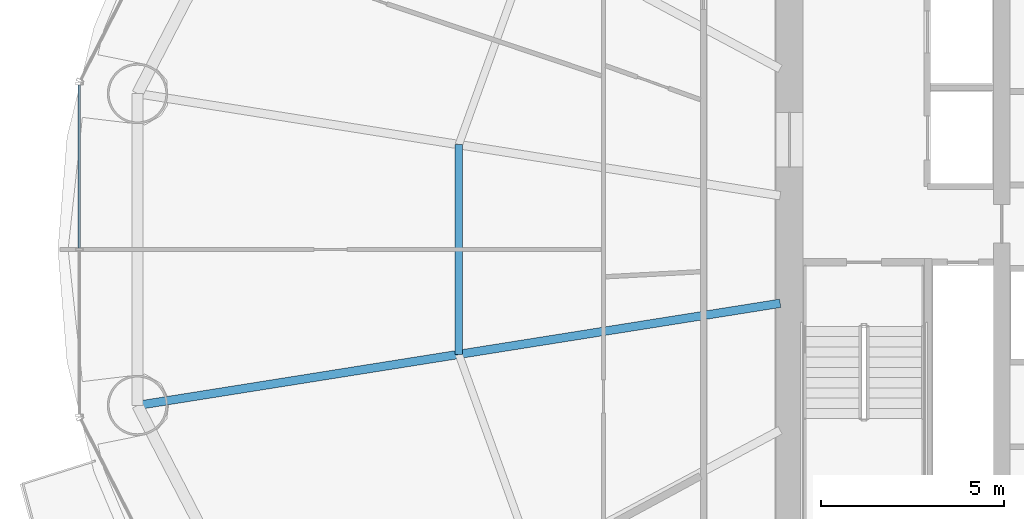
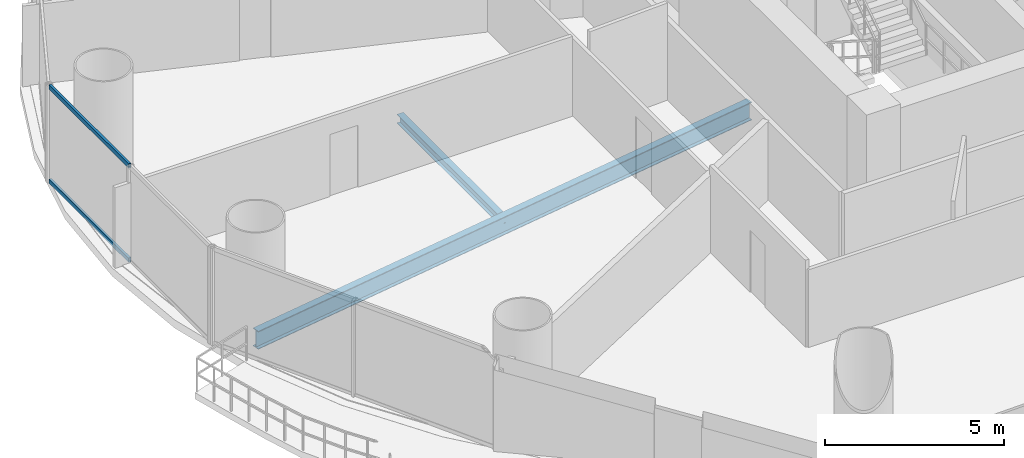
# One storey, part 8 of 30: 2 beams, 2 members, 1 element without a shape of its own.
"""IFC4 building model written with IfcOpenShell, lengths in metres."""

from ifc_helpers import new_model, si_unit, direction, frame, origin, origin_2d, place, context, subcontext, project, spatial, hollow_rectangle, i_section, extrude, source, transform, mapped, material, material_profile, profile_set, type_object, element, aggregate, save


model = new_model("IFC4")

# Units and contexts
model_context = context("Model", 3, precision=1e-05, world=origin(), true_north=direction((-0.2419218956, 0.970295726276)))
body_context = subcontext(model_context, "Body", "Model", "MODEL_VIEW")
ifc_project = project(units=[si_unit("LENGTHUNIT", "METRE"), si_unit("AREAUNIT", "SQUARE_METRE"), si_unit("VOLUMEUNIT", "CUBIC_METRE"), si_unit("PLANEANGLEUNIT", "RADIAN"), si_unit("MASSUNIT", "GRAM", prefix="KILO")], contexts=[model_context])

# Site, building, storey
site_placement = place(None, origin())
site = spatial("IfcSite", under=ifc_project, at=site_placement, CompositionType="ELEMENT")
building_placement = place(site_placement, origin())
building = spatial("IfcBuilding", under=site, at=building_placement, Name="Cobrevalo Terracotta Tower", CompositionType="ELEMENT")
storey_placement = place(building_placement, frame((0.0, 0.0, 60.0)))
storey = spatial("IfcBuildingStorey", under=building, at=storey_placement, Name="L15", CompositionType="ELEMENT", Elevation=60.0)

# Beams
ifc_material_1 = material(Name="Steel S355", Category="steel")
ifc_material_profile_1 = material_profile(ifc_material_1, i_section(OverallWidth=0.22998046875, OverallDepth=0.616943359375, WebThickness=0.01318359375, FlangeThickness=0.022216796875, at=origin_2d()), Name="W 610x140")
ifc_profile_set_1 = profile_set([ifc_material_profile_1], Name="Steel S355")
beam_type_1 = type_object("IfcBeamType", Name="Structural Beam W 610x140 (Steel S355)", PredefinedType="BEAM", material=ifc_profile_set_1)
beam_1_placement = place(storey_placement, frame((11.175537109375, 22.537353515625, -0.58837890625), z_axis=(0.987607924622, 0.156941349628, 0.0), x_axis=(-0.156941349628, 0.987607924622, 0.0)))
element("IfcBeam", 1, at=beam_1_placement, inside=storey, type_object=beam_type_1, Name="L15 radial floor girder 09", PredefinedType="BEAM", context=body_context, shape_type="SweptSolid", body=[
    extrude(i_section(OverallWidth=0.22998046875, OverallDepth=0.616943359375, WebThickness=0.01318359375, FlangeThickness=0.022216796875, at=origin_2d()), origin(), (0.0, 0.0, 1.0), 17.7900390625),
])
ifc_material_profile_2 = material_profile(ifc_material_1, i_section(OverallWidth=0.2041015625, OverallDepth=0.305908203125, WebThickness=0.008544921875, FlangeThickness=0.0146484375, at=origin_2d()), Name="W 310x67")
ifc_profile_set_2 = profile_set([ifc_material_profile_2], Name="Steel S355")
beam_type_2 = type_object("IfcBeamType", Name="Structural Joist W 310x67 (Steel S355)", PredefinedType="JOIST", material=ifc_profile_set_2)
beam_2_placement = place(storey_placement, frame((19.960205078125, 29.666748046875, -0.43310546875), z_axis=(0.0, -1.0, 0.0), x_axis=(1.0, 0.0, 0.0)))
element("IfcBeam", 2, at=beam_2_placement, inside=storey, type_object=beam_type_2, Name="L15 circumferential secondary floor joist 08", PredefinedType="JOIST", context=body_context, shape_type="SweptSolid", body=[
    extrude(i_section(OverallWidth=0.2041015625, OverallDepth=0.305908203125, WebThickness=0.008544921875, FlangeThickness=0.0146484375, at=origin_2d()), origin(), (0.0, 0.0, 1.0), 5.7333984375),
])

# Curtain wall, members
ifc_material_2 = material(Name="Anodized aluminium", Category="aluminium")
curtain_wall_type = type_object("IfcCurtainWallType", Name="Lower-tower unitised acoustic low-E curtain wall CW-U1", PredefinedType="NOTDEFINED", material=ifc_material_2)
curtain_wall_placement = place(storey_placement, origin())
curtain_wall = element("IfcCurtainWall", 3, at=curtain_wall_placement, inside=storey, type_object=curtain_wall_type, Name="L15 curtain wall CW-L15-S08", PredefinedType="NOTDEFINED")
ifc_material_profile_3 = material_profile(ifc_material_2, hollow_rectangle(XDim=0.074951171875, YDim=0.14990234375, WallThickness=0.00439453125, at=origin_2d()), Name="CWT 75x150")
ifc_profile_set_3 = profile_set([ifc_material_profile_3], Name="Anodized aluminium")
member_type = type_object("IfcMemberType", Name="Tower unitised aluminium transom 75x150", PredefinedType="USERDEFINED", material=ifc_profile_set_3)
shared_shape = source(origin(), body_context, "Body", "SweptSolid", [
    extrude(hollow_rectangle(XDim=0.074951171875, YDim=0.14990234375, WallThickness=0.00439453125, at=origin_2d()), origin(), (0.0, 0.0, 1.0), 4.458740234375),
])
member_1_placement = place(storey_placement, frame((9.586669921875, 31.298828125, 0.050048828125), z_axis=(0.0, -1.0, 0.0), x_axis=(1.0, 0.0, 0.0)))
member_1 = element("IfcMember", 4, at=member_1_placement, type_object=member_type, Name="CW-L15-S08 transom B01-T1", ObjectType="TRANSOM", PredefinedType="USERDEFINED", context=body_context, shape_type="MappedRepresentation", body=[
    mapped(shared_shape, transform((0.0, 0.0, 0.0), scale=1.0)),
])
member_2_placement = place(storey_placement, frame((9.586669921875, 31.298828125, 3.27001953125), z_axis=(0.0, -1.0, 0.0), x_axis=(1.0, 0.0, 0.0)))
member_2 = element("IfcMember", 5, at=member_2_placement, type_object=member_type, Name="CW-L15-S08 transom B01-T2", ObjectType="TRANSOM", PredefinedType="USERDEFINED", context=body_context, shape_type="MappedRepresentation", body=[
    mapped(shared_shape, transform((0.0, 0.0, 0.0), scale=1.0)),
])
aggregate(curtain_wall, [member_1, member_2])

save(model, "model.ifc")
